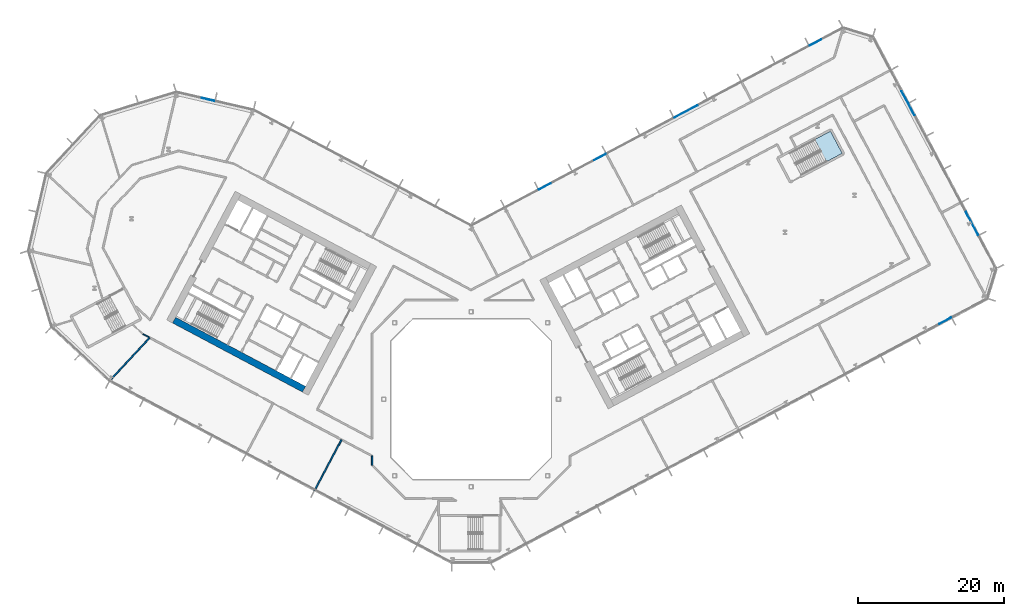
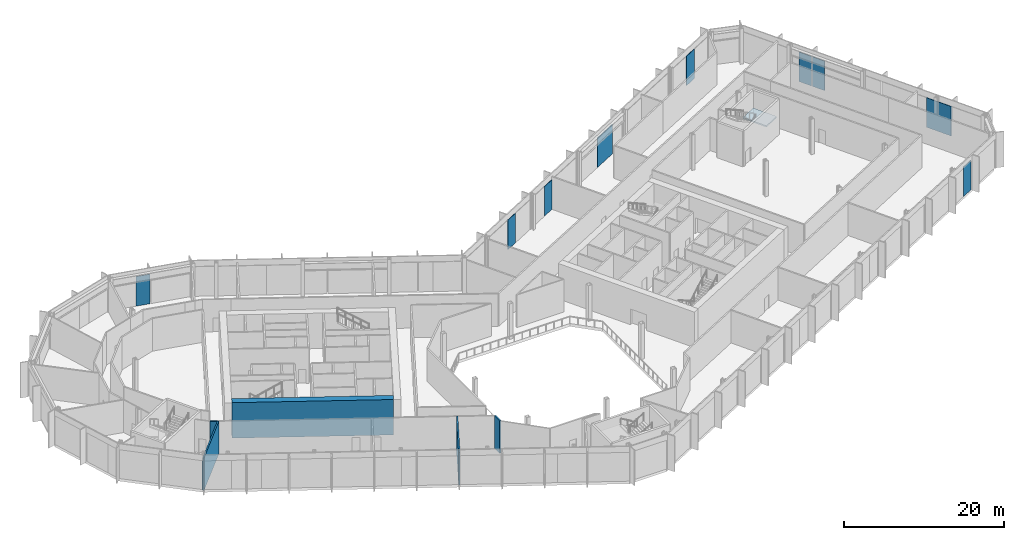
# One storey, part 11 of 31: 9 plates, 5 walls, 1 slab, 5 elements without a shape of their own.
"""IFC4 building model written with IfcOpenShell, lengths in metres."""

from ifc_helpers import new_model, si_unit, direction, frame, frame_2d, origin, origin_2d, place, context, subcontext, project, spatial, polyline, rectangle, outline, extrude, material, layer, layer_set, type_object, element, aggregate, save


model = new_model("IFC4")

# Units and contexts
model_context = context("Model", 3, precision=1e-05, world=origin(), true_north=direction((0.0, 1.0)))
body_context = subcontext(model_context, "Body", "Model", "MODEL_VIEW")
ifc_project = project(units=[si_unit("LENGTHUNIT", "METRE"), si_unit("AREAUNIT", "SQUARE_METRE"), si_unit("VOLUMEUNIT", "CUBIC_METRE"), si_unit("PLANEANGLEUNIT", "RADIAN"), si_unit("MASSUNIT", "GRAM", prefix="KILO")], contexts=[model_context])

# Site, building, storey
site_placement = place(None, origin())
site = spatial("IfcSite", under=ifc_project, at=site_placement, CompositionType="ELEMENT")
building_placement = place(site_placement, origin())
building = spatial("IfcBuilding", under=site, at=building_placement, Name="Cormorant Relay Tower", CompositionType="ELEMENT")
storey_placement = place(building_placement, frame((0.0, 0.0, 12.199951171875)))
storey = spatial("IfcBuildingStorey", under=building, at=storey_placement, Name="L02", CompositionType="ELEMENT", Elevation=12.199951171875)

# Curtain wall, plate
ifc_material_1 = material(Name="Aluminium 6063-T6 anodised bronze", Category="aluminium")
ifc_layer_1 = layer(ifc_material_1, 0.235107421875)
ifc_layer_set_1 = layer_set([ifc_layer_1], Name="CW6 data hall curtain wall with mineral wool panels")
curtain_wall_type = type_object("IfcCurtainWallType", Name="CW6 data hall curtain wall with mineral wool panels", PredefinedType="NOTDEFINED", material=ifc_layer_set_1)
curtain_wall_1_placement = place(storey_placement, origin())
curtain_wall_1 = element("IfcCurtainWall", 1, at=curtain_wall_1_placement, inside=storey, type_object=curtain_wall_type, Name="CW6 curtain wall 2", PredefinedType="NOTDEFINED")
ifc_material_2 = material(Name="Tinted triple-glazed laminated unit")
ifc_layer_2 = layer(ifc_material_2, 0.074951171875)
ifc_layer_set_2 = layer_set([ifc_layer_2], Name="CW6 triple-glazed vision unit 1800 module")
plate_type_1 = type_object("IfcPlateType", Name="CW6 triple-glazed vision unit 1800 module", PredefinedType="CURTAIN_PANEL", material=ifc_layer_set_2)
plate_1_placement = place(storey_placement, frame((65.072265625, 10.773193359375, 0.0), z_axis=(0.0, 0.0, 1.0), x_axis=(0.882947592859, 0.469471562786, 0.0)))
plate_1 = element("IfcPlate", 2, at=plate_1_placement, type_object=plate_type_1, Name="CW6 panel V12", PredefinedType="CURTAIN_PANEL", context=body_context, shape_type="SweptSolid", body=[
    extrude(rectangle(XDim=1.800048828125, YDim=0.074951171875, at=origin_2d()), origin(), (0.0, 0.0, 1.0), 4.5),
])
aggregate(curtain_wall_1, [plate_1])

# Curtain wall, plates
curtain_wall_2_placement = place(storey_placement, origin())
curtain_wall_2 = element("IfcCurtainWall", 3, at=curtain_wall_2_placement, inside=storey, type_object=curtain_wall_type, Name="CW6 curtain wall 4", PredefinedType="NOTDEFINED")
plate_2_placement = place(storey_placement, frame((60.44140625, 39.77001953125, 0.0), z_axis=(0.0, 0.0, 1.0), x_axis=(-0.469471562786, 0.882947592859, 0.0)))
plate_2 = element("IfcPlate", 4, at=plate_2_placement, type_object=plate_type_1, Name="CW6 panel V04", PredefinedType="CURTAIN_PANEL", context=body_context, shape_type="SweptSolid", body=[
    extrude(rectangle(XDim=1.800048828125, YDim=0.074951171875, at=origin_2d()), origin(), (0.0, 0.0, 1.0), 4.5),
])
plate_3_placement = place(storey_placement, frame((59.52587890625, 41.49169921875, 0.0), z_axis=(0.0, 0.0, 1.0), x_axis=(-0.469471562786, 0.882947592859, 0.0)))
plate_3 = element("IfcPlate", 5, at=plate_3_placement, type_object=plate_type_1, Name="CW6 panel V05", PredefinedType="CURTAIN_PANEL", context=body_context, shape_type="SweptSolid", body=[
    extrude(rectangle(XDim=1.800048828125, YDim=0.074951171875, at=origin_2d()), origin(), (0.0, 0.0, 1.0), 4.5),
])

curtain_wall_3_placement = place(storey_placement, origin())
curtain_wall_3 = element("IfcCurtainWall", 6, at=curtain_wall_3_placement, inside=storey, type_object=curtain_wall_type, Name="CW6 curtain wall 6", PredefinedType="NOTDEFINED")
plate_4_placement = place(storey_placement, frame((47.265380859375, 48.9580078125, 0.0), z_axis=(0.0, 0.0, 1.0), x_axis=(-0.882947592859, -0.469471562786, 0.0)))
plate_4 = element("IfcPlate", 7, at=plate_4_placement, type_object=plate_type_1, Name="CW6 panel V01", PredefinedType="CURTAIN_PANEL", context=body_context, shape_type="SweptSolid", body=[
    extrude(rectangle(XDim=1.800048828125, YDim=0.074951171875, at=origin_2d()), origin(), (0.0, 0.0, 1.0), 4.5),
])
plate_5_placement = place(storey_placement, frame((17.6904296875, 33.232666015625, 0.0), z_axis=(0.0, 0.0, 1.0), x_axis=(-0.882947592859, -0.469471562786, 0.0)))
plate_5 = element("IfcPlate", 8, at=plate_5_placement, type_object=plate_type_1, Name="CW6 panel V06", PredefinedType="CURTAIN_PANEL", context=body_context, shape_type="SweptSolid", body=[
    extrude(rectangle(XDim=1.800048828125, YDim=0.074951171875, at=origin_2d()), origin(), (0.0, 0.0, 1.0), 4.5),
])
plate_6_placement = place(storey_placement, frame((10.127685546875, 29.21142578125, 0.0), z_axis=(0.0, 0.0, 1.0), x_axis=(-0.882947592859, -0.469471562786, 0.0)))
plate_6 = element("IfcPlate", 9, at=plate_6_placement, type_object=plate_type_1, Name="CW6 panel V08", PredefinedType="CURTAIN_PANEL", context=body_context, shape_type="SweptSolid", body=[
    extrude(rectangle(XDim=1.800048828125, YDim=0.074951171875, at=origin_2d()), origin(), (0.0, 0.0, 1.0), 4.5),
])

# Curtain wall, plate
curtain_wall_4_placement = place(storey_placement, origin())
curtain_wall_4 = element("IfcCurtainWall", 10, at=curtain_wall_4_placement, inside=storey, type_object=curtain_wall_type, Name="CW6 curtain wall 8", PredefinedType="NOTDEFINED")
plate_7_placement = place(storey_placement, frame((-36.111083984375, 41.146484375, 0.0), z_axis=(0.0, 0.0, 1.0), x_axis=(-0.974370064785, 0.224951054344, 0.0)))
plate_7 = element("IfcPlate", 11, at=plate_7_placement, type_object=plate_type_1, Name="CW6 panel V01", PredefinedType="CURTAIN_PANEL", context=body_context, shape_type="SweptSolid", body=[
    extrude(rectangle(XDim=1.800048828125, YDim=0.074951171875, at=origin_2d()), origin(), (0.0, 0.0, 1.0), 4.5),
])
aggregate(curtain_wall_4, [plate_7])

# Plate
ifc_material_3 = material(Name="Tinted triple-glazed laminated unit")
ifc_layer_3 = layer(ifc_material_3, 0.074951171875)
ifc_layer_set_3 = layer_set([ifc_layer_3], Name="CW6 triple-glazed vision unit 3600 module")
plate_type_2 = type_object("IfcPlateType", Name="CW6 triple-glazed vision unit 3600 module", PredefinedType="CURTAIN_PANEL", material=ifc_layer_set_3)
plate_8_placement = place(storey_placement, frame((68.760986328125, 24.122802734375, 0.0), z_axis=(0.0, 0.0, 1.0), x_axis=(-0.469471562786, 0.882947592859, 0.0)))
plate_8 = element("IfcPlate", 12, at=plate_8_placement, type_object=plate_type_2, Name="CW6 panel V01", PredefinedType="CURTAIN_PANEL", context=body_context, shape_type="SweptSolid", body=[
    extrude(rectangle(XDim=3.60009765625, YDim=0.074951171875, at=origin_2d()), origin(), (0.0, 0.0, 1.0), 4.5),
])

aggregate(curtain_wall_2, [plate_8, plate_2, plate_3])

plate_9_placement = place(storey_placement, frame((29.4912109375, 39.507080078125, 0.0), z_axis=(0.0, 0.0, 1.0), x_axis=(-0.882947592859, -0.469471562786, 0.0)))
plate_9 = element("IfcPlate", 13, at=plate_9_placement, type_object=plate_type_2, Name="CW6 panel V04", PredefinedType="CURTAIN_PANEL", context=body_context, shape_type="SweptSolid", body=[
    extrude(rectangle(XDim=3.60009765625, YDim=0.074951171875, at=origin_2d()), origin(), (0.0, 0.0, 1.0), 4.5),
])

aggregate(curtain_wall_3, [plate_4, plate_9, plate_5, plate_6])

# Stair, slab
ifc_material_4 = material(Name="Concrete 40 MPa", Category="concrete")
stair_type = type_object("IfcStairType", Name="Exit stair 1500", PredefinedType="HALF_TURN_STAIR", material=ifc_material_4)
stair_placement = place(storey_placement, origin())
stair = element("IfcStair", 14, at=stair_placement, inside=storey, type_object=stair_type, Name="L02 Stair", PredefinedType="HALF_TURN_STAIR")
ifc_material_5 = material(Name="Concrete 40 MPa", Category="concrete")
ifc_layer_4 = layer(ifc_material_5, 0.199951171875)
ifc_layer_set_4 = layer_set([ifc_layer_4], Name="Exit stair landing 200")
slab_type = type_object("IfcSlabType", Name="Exit stair landing 200", PredefinedType="LANDING", material=ifc_layer_set_4)
slab_placement = place(storey_placement, frame((0.0, 0.0, 2.5)))
slab = element("IfcSlab", 15, at=slab_placement, type_object=slab_type, Name="RB1 landing 1", PredefinedType="LANDING", context=body_context, shape_type="SweptSolid", body=[
    extrude(outline(polyline([(48.796142578125, 32.614013671875), (50.941650390625, 33.7548828125), (49.322021484375, 36.801025390625), (47.17626953125, 35.66015625), (48.796142578125, 32.614013671875)])), origin(), (0.0, 0.0, 1.0), 0.199951171875),
])
aggregate(stair, [slab])

# Walls
ifc_material_6 = material(Name="Concrete 70 MPa", Category="concrete")
ifc_layer_5 = layer(ifc_material_6, 0.89990234375)
ifc_layer_set_5 = layer_set([ifc_layer_5], Name="Core wall 900")
wall_type_1 = type_object("IfcWallType", Name="Core wall 900", PredefinedType="SHEAR", material=ifc_layer_set_5)
wall_1_placement = place(storey_placement, frame((-22.93701171875, 1.3798828125, 0.0), z_axis=(0.0, 0.0, 1.0), x_axis=(-0.88295276571, 0.46946183394, 0.0)))
element("IfcWall", 16, at=wall_1_placement, inside=storey, type_object=wall_type_1, Name="L02 core A wall", PredefinedType="SHEAR", context=body_context, shape_type="SweptSolid", body=[
    extrude(rectangle(XDim=20.199951171875, YDim=0.89990234375, at=frame_2d((10.10009765625, 0.0))), origin(), (0.0, 0.0, 1.0), 5.400146484375),
])
ifc_material_7 = material(Name="Fire-rated gypsum board partition")
ifc_layer_6 = layer(ifc_material_7, 0.199951171875)
ifc_layer_set_6 = layer_set([ifc_layer_6], Name="Fire-rated gypsum partition 200")
wall_type_2 = type_object("IfcWallType", Name="Fire-rated gypsum partition 200", PredefinedType="PARTITIONING", material=ifc_layer_set_6)
wall_2_placement = place(storey_placement, frame((-44.1201171875, 8.451904296875, 0.0), z_axis=(0.0, 0.0, 1.0), x_axis=(-0.682009555742, -0.731343261319, 0.0)))
element("IfcWall", 17, at=wall_2_placement, inside=storey, type_object=wall_type_2, Name="wall/L02/part/10", PredefinedType="PARTITIONING", context=body_context, shape_type="SweptSolid", body=[
    extrude(rectangle(XDim=8.229736328125, YDim=0.199951171875, at=frame_2d((4.11474609375, 0.0))), origin(), (0.0, 0.0, 1.0), 4.949951171875),
])
wall_3_placement = place(storey_placement, frame((-13.60009765625, -9.076904296875, 0.0), z_axis=(0.0, 0.0, 1.0), x_axis=(0.0, 1.0, 0.0)))
element("IfcWall", 18, at=wall_3_placement, inside=storey, type_object=wall_type_2, Name="wall/L02/part/23", PredefinedType="PARTITIONING", context=body_context, shape_type="SweptSolid", body=[
    extrude(rectangle(XDim=1.302001953125, YDim=0.199951171875, at=frame_2d((0.65087890625, 0.0))), origin(), (0.0, 0.0, 1.0), 4.949951171875),
])
wall_4_placement = place(storey_placement, frame((-17.787109375, -5.549072265625, 0.0), z_axis=(0.0, 0.0, 1.0), x_axis=(-0.469551855795, -0.882904895625, 0.0)))
element("IfcWall", 19, at=wall_4_placement, inside=storey, type_object=wall_type_2, Name="wall/L02/part/32", PredefinedType="PARTITIONING", context=body_context, shape_type="SweptSolid", body=[
    extrude(rectangle(XDim=7.949951171875, YDim=0.199951171875, at=frame_2d((3.97509765625, 0.0))), origin(), (0.0, 0.0, 1.0), 4.949951171875),
])
ifc_material_8 = material(Name="Gypsum board partition")
ifc_layer_7 = layer(ifc_material_8, 0.14990234375)
ifc_layer_set_7 = layer_set([ifc_layer_7], Name="Gypsum board partition 150")
wall_type_3 = type_object("IfcWallType", Name="Gypsum board partition 150", PredefinedType="PARTITIONING", material=ifc_layer_set_7)
wall_5_placement = place(storey_placement, frame((-44.181884765625, 8.486083984375, 0.0), z_axis=(0.0, 0.0, 1.0), x_axis=(-0.883256863702, 0.468889446163, 0.0)))
element("IfcWall", 20, at=wall_5_placement, inside=storey, type_object=wall_type_3, Name="wall/L02/part/21", PredefinedType="PARTITIONING", context=body_context, shape_type="SweptSolid", body=[
    extrude(rectangle(XDim=0.985107421875, YDim=0.14990234375, at=frame_2d((0.49267578125, 0.0))), origin(), (0.0, 0.0, 1.0), 4.949951171875),
])

save(model, "model.ifc")
